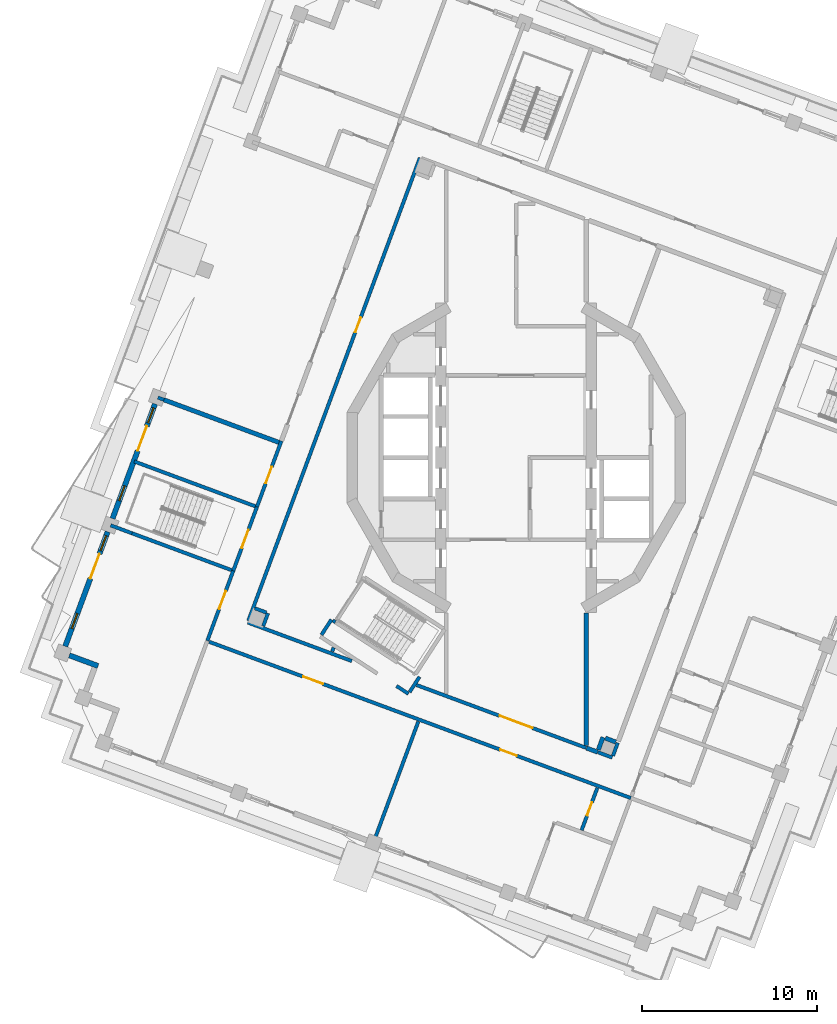
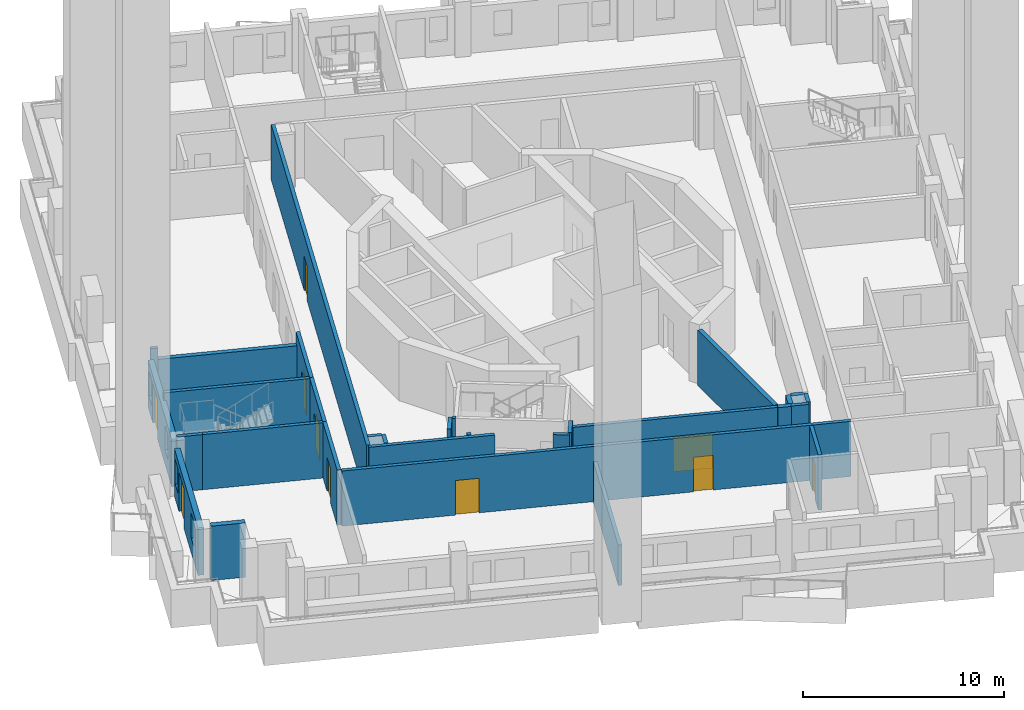
# One storey, part 3 of 20: 30 walls, 10 doors, 4 windows, 14 openings.
"""IFC4 building model written with IfcOpenShell, lengths in metres."""

from ifc_helpers import new_model, si_unit, direction, frame, frame_2d, origin, place, context, subcontext, project, spatial, rectangle, extrude, material, layer, layer_set, type_object, element, fill, save


model = new_model("IFC4")

# Units and contexts
model_context = context("Model", 3, precision=1e-05, world=origin(), true_north=direction((0.0, 1.0)))
body_context = subcontext(model_context, "Body", "Model", "MODEL_VIEW")
ifc_project = project(units=[si_unit("LENGTHUNIT", "METRE"), si_unit("AREAUNIT", "SQUARE_METRE"), si_unit("VOLUMEUNIT", "CUBIC_METRE"), si_unit("PLANEANGLEUNIT", "RADIAN"), si_unit("MASSUNIT", "GRAM", prefix="KILO")], contexts=[model_context])

# Site, building, storey
site_placement = place(None, origin())
site = spatial("IfcSite", under=ifc_project, at=site_placement, CompositionType="ELEMENT")
building_placement = place(site_placement, origin())
building = spatial("IfcBuilding", under=site, at=building_placement, Name="Cantera Rosa Tower", CompositionType="ELEMENT")
storey_placement = place(building_placement, frame((0.0, 0.0, 306.10009765625)))
storey = spatial("IfcBuildingStorey", under=building, at=storey_placement, Name="L67", CompositionType="ELEMENT", Elevation=306.10009765625)

# Wall, openings, doors
ifc_material_1 = material(Name="Gypsum board partition")
ifc_layer_1 = layer(ifc_material_1, 0.199951171875)
ifc_layer_set_1 = layer_set([ifc_layer_1], Name="CORRIDOR WALL 200 H3350")
wall_type_1 = type_object("IfcWallType", Name="CORRIDOR WALL 200 H3350", PredefinedType="PARTITIONING", material=ifc_layer_set_1)
wall_1_placement = place(storey_placement, frame((-17.52587890625, -10.515380859375, 0.0), z_axis=(0.0, 0.0, 1.0), x_axis=(0.937685670384, -0.347484652261, 0.0)))
wall_1 = element("IfcWall", 1, at=wall_1_placement, inside=storey, type_object=wall_type_1, Name="CORRIDOR WALL L67-004", PredefinedType="PARTITIONING", context=body_context, shape_type="SweptSolid", body=[
    extrude(rectangle(XDim=25.679931640625, YDim=0.199951171875, at=frame_2d((12.83984375, 0.0))), origin(), (0.0, 0.0, 1.0), 3.349853515625),
])
opening_1_placement = place(wall_1_placement, frame((5.72998046875, 0.0, 0.0)))
opening_1 = element("IfcOpeningElement", 2, at=opening_1_placement, cuts=wall_1, Name="Opening L67-027", PredefinedType="OPENING", context=body_context, shape_type="SweptSolid", body=[
    extrude(rectangle(XDim=1.199951171875, YDim=2.10009765625, at=frame_2d((0.60009765625, 1.050048828125))), frame((0.0, 0.10986328125, 0.0), z_axis=(0.0, -1.0, 0.0), x_axis=(1.0, 0.0, 0.0)), (0.0, 0.0, 1.0), 0.219970703125),
])
opening_2_placement = place(wall_1_placement, frame((17.72998046875, 0.0, 0.0)))
opening_2 = element("IfcOpeningElement", 3, at=opening_2_placement, cuts=wall_1, Name="Opening L67-028", PredefinedType="OPENING", context=body_context, shape_type="SweptSolid", body=[
    extrude(rectangle(XDim=1.0, YDim=2.10009765625, at=frame_2d((0.5, 1.050048828125))), frame((0.0, 0.10986328125, 0.0), z_axis=(0.0, -1.0, 0.0), x_axis=(1.0, 0.0, 0.0)), (0.0, 0.0, 1.0), 0.219970703125),
])
ifc_material_2 = material(Name="Timber door leaf", Category="wood")
door_type_1 = type_object("IfcDoorType", Name="ENTRANCE DOOR 1000x2100", OperationType="NOTDEFINED", PredefinedType="DOOR", material=ifc_material_2)
door_1_placement = place(opening_2_placement, origin())
door_1 = element("IfcDoor", 4, at=door_1_placement, inside=storey, type_object=door_type_1, Name="DOOR L67-028", OperationType="NOTDEFINED", OverallHeight=2.10009765625, OverallWidth=1.0, PredefinedType="DOOR", context=body_context, shape_type="SweptSolid", body=[
    extrude(rectangle(XDim=1.0, YDim=2.10009765625, at=frame_2d((0.5, 1.050048828125))), frame((0.0, 0.02490234375, 0.0), z_axis=(0.0, -1.0, 0.0), x_axis=(1.0, 0.0, 0.0)), (0.0, 0.0, 1.0), 0.050048828125),
])
fill(opening_2, door_1)
ifc_material_3 = material(Name="Timber door leaf", Category="wood")
door_type_2 = type_object("IfcDoorType", Name="ROOM DOOR 1200x2100", OperationType="NOTDEFINED", PredefinedType="DOOR", material=ifc_material_3)
door_2_placement = place(opening_1_placement, origin())
door_2 = element("IfcDoor", 5, at=door_2_placement, inside=storey, type_object=door_type_2, Name="DOOR L67-027", OperationType="NOTDEFINED", OverallHeight=2.10009765625, OverallWidth=1.199951171875, PredefinedType="DOOR", context=body_context, shape_type="SweptSolid", body=[
    extrude(rectangle(XDim=1.199951171875, YDim=2.10009765625, at=frame_2d((0.60009765625, 1.050048828125))), frame((0.0, 0.02490234375, 0.0), z_axis=(0.0, -1.0, 0.0), x_axis=(1.0, 0.0, 0.0)), (0.0, 0.0, 1.0), 0.050048828125),
])
fill(opening_1, door_2)

# Wall, opening, door
wall_2_placement = place(storey_placement, frame((-16.1513671875, -6.460205078125, 0.0), z_axis=(0.0, 0.0, 1.0), x_axis=(-0.347465539693, -0.937692752838, 0.0)))
wall_2 = element("IfcWall", 6, at=wall_2_placement, inside=storey, type_object=wall_type_1, Name="CORRIDOR WALL L67-005", PredefinedType="PARTITIONING", context=body_context, shape_type="SweptSolid", body=[
    extrude(rectangle(XDim=4.260009765625, YDim=0.199951171875, at=frame_2d((2.1298828125, 0.0))), origin(), (0.0, 0.0, 1.0), 3.349853515625),
])
opening_3_placement = place(wall_2_placement, frame((1.22998046875, 0.0, 0.0)))
opening_3 = element("IfcOpeningElement", 7, at=opening_3_placement, cuts=wall_2, Name="Opening L67-026", PredefinedType="OPENING", context=body_context, shape_type="SweptSolid", body=[
    extrude(rectangle(XDim=1.10009765625, YDim=2.10009765625, at=frame_2d((0.550048828125, 1.050048828125))), frame((0.0, 0.10986328125, 0.0), z_axis=(0.0, -1.0, 0.0), x_axis=(1.0, 0.0, 0.0)), (0.0, 0.0, 1.0), 0.219970703125),
])
ifc_material_4 = material(Name="Timber door leaf", Category="wood")
door_type_3 = type_object("IfcDoorType", Name="ROOM DOOR 1100x2100", OperationType="NOTDEFINED", PredefinedType="DOOR", material=ifc_material_4)
door_3_placement = place(opening_3_placement, origin())
door_3 = element("IfcDoor", 8, at=door_3_placement, inside=storey, type_object=door_type_3, Name="DOOR L67-026", OperationType="NOTDEFINED", OverallHeight=2.10009765625, OverallWidth=1.10009765625, PredefinedType="DOOR", context=body_context, shape_type="SweptSolid", body=[
    extrude(rectangle(XDim=1.10009765625, YDim=2.10009765625, at=frame_2d((0.550048828125, 1.050048828125))), frame((0.0, 0.02490234375, 0.0), z_axis=(0.0, -1.0, 0.0), x_axis=(1.0, 0.0, 0.0)), (0.0, 0.0, 1.0), 0.050048828125),
])
fill(opening_3, door_3)

# Walls
wall_3_placement = place(storey_placement, frame((-15.3251953125, -9.4111328125, 0.0), z_axis=(0.0, 0.0, 1.0), x_axis=(0.937682798528, -0.347492401852, 0.0)))
element("IfcWall", 9, at=wall_3_placement, inside=storey, type_object=wall_type_1, Name="CORRIDOR WALL L67-007", PredefinedType="PARTITIONING", context=body_context, shape_type="SweptSolid", body=[
    extrude(rectangle(XDim=6.341552734375, YDim=0.199951171875, at=frame_2d((3.1708984375, 0.0))), origin(), (0.0, 0.0, 1.0), 3.349853515625),
])
wall_4_placement = place(storey_placement, frame((-6.83251953125, -13.038330078125, 0.0), z_axis=(0.0, 0.0, 1.0), x_axis=(0.838593374038, -0.54475788477, 0.0)))
element("IfcWall", 10, at=wall_4_placement, inside=storey, type_object=wall_type_1, Name="CORRIDOR WALL L67-012", PredefinedType="PARTITIONING", context=body_context, shape_type="SweptSolid", body=[
    extrude(rectangle(XDim=0.8193359375, YDim=0.199951171875, at=frame_2d((0.40966796875, 0.0))), origin(), (0.0, 0.0, 1.0), 3.349853515625),
])
wall_5_placement = place(storey_placement, frame((-10.546630859375, -9.2451171875, 0.0), z_axis=(0.0, 0.0, 1.0), x_axis=(-0.544732150362, -0.838610090782, 0.0)))
element("IfcWall", 11, at=wall_5_placement, inside=storey, type_object=wall_type_1, Name="CORRIDOR WALL L67-014", PredefinedType="PARTITIONING", context=body_context, shape_type="SweptSolid", body=[
    extrude(rectangle(XDim=1.038330078125, YDim=0.199951171875, at=frame_2d((0.51904296875, 0.0))), origin(), (0.0, 0.0, 1.0), 3.349853515625),
])
wall_6_placement = place(storey_placement, frame((-10.31591796875, -9.394775390625, 0.0), z_axis=(0.0, 0.0, 1.0), x_axis=(-0.838857934668, 0.544350406856, 0.0)))
element("IfcWall", 12, at=wall_6_placement, inside=storey, type_object=wall_type_1, Name="CORRIDOR WALL L67-016", PredefinedType="PARTITIONING", context=body_context, shape_type="SweptSolid", body=[
    extrude(rectangle(XDim=0.1748046875, YDim=0.199951171875, at=frame_2d((0.08740234375, 0.0))), origin(), (0.0, 0.0, 1.0), 3.349853515625),
])

# Wall, opening, door
wall_7_placement = place(storey_placement, frame((-13.404296875, 0.9521484375, 0.0), z_axis=(0.0, 0.0, 1.0), x_axis=(-0.347502485966, -0.937679061432, 0.0)))
wall_7 = element("IfcWall", 13, at=wall_7_placement, inside=storey, type_object=wall_type_1, Name="CORRIDOR WALL L67-029", PredefinedType="PARTITIONING", context=body_context, shape_type="SweptSolid", body=[
    extrude(rectangle(XDim=4.01513671875, YDim=0.199951171875, at=frame_2d((2.007568359375, 0.0))), origin(), (0.0, 0.0, 1.0), 3.349853515625),
])
opening_4_placement = place(wall_7_placement, frame((1.570068359375, 0.0, 0.0)))
opening_4 = element("IfcOpeningElement", 14, at=opening_4_placement, cuts=wall_7, Name="Opening L67-022", PredefinedType="OPENING", context=body_context, shape_type="SweptSolid", body=[
    extrude(rectangle(XDim=1.0, YDim=2.10009765625, at=frame_2d((0.5, 1.050048828125))), frame((0.0, 0.10986328125, 0.0), z_axis=(0.0, -1.0, 0.0), x_axis=(1.0, 0.0, 0.0)), (0.0, 0.0, 1.0), 0.219970703125),
])
ifc_material_5 = material(Name="Timber door leaf", Category="wood")
door_type_4 = type_object("IfcDoorType", Name="ROOM DOOR 1000x2100", OperationType="NOTDEFINED", PredefinedType="DOOR", material=ifc_material_5)
door_4_placement = place(opening_4_placement, origin())
door_4 = element("IfcDoor", 15, at=door_4_placement, inside=storey, type_object=door_type_4, Name="DOOR L67-022", OperationType="NOTDEFINED", OverallHeight=2.10009765625, OverallWidth=1.0, PredefinedType="DOOR", context=body_context, shape_type="SweptSolid", body=[
    extrude(rectangle(XDim=1.0, YDim=2.10009765625, at=frame_2d((0.5, 1.050048828125))), frame((0.0, 0.02490234375, 0.0), z_axis=(0.0, -1.0, 0.0), x_axis=(1.0, 0.0, 0.0)), (0.0, 0.0, 1.0), 0.050048828125),
])
fill(opening_4, door_4)

# Wall
wall_8_placement = place(storey_placement, frame((-6.080078125, -13.3837890625, 0.0), z_axis=(0.0, 0.0, 1.0), x_axis=(0.544566778899, 0.838717487191, 0.0)))
element("IfcWall", 16, at=wall_8_placement, inside=storey, type_object=wall_type_1, Name="CORRIDOR WALL L67-032", PredefinedType="PARTITIONING", context=body_context, shape_type="SweptSolid", body=[
    extrude(rectangle(XDim=1.038330078125, YDim=0.199951171875, at=frame_2d((0.51904296875, 0.0))), origin(), (0.0, 0.0, 1.0), 3.349853515625),
])

# Wall, opening, door
wall_9_placement = place(storey_placement, frame((-5.681396484375, -12.98486328125, 0.0), z_axis=(0.0, 0.0, 1.0), x_axis=(0.937687420186, -0.347479930391, 0.0)))
wall_9 = element("IfcWall", 17, at=wall_9_placement, inside=storey, type_object=wall_type_1, Name="CORRIDOR WALL L67-035", PredefinedType="PARTITIONING", context=body_context, shape_type="SweptSolid", body=[
    extrude(rectangle(XDim=10.32470703125, YDim=0.199951171875, at=frame_2d((5.162353515625, 0.0))), origin(), (0.0, 0.0, 1.0), 3.349853515625),
])
opening_5_placement = place(wall_9_placement, frame((5.05908203125, 0.0, 0.0)))
opening_5 = element("IfcOpeningElement", 18, at=opening_5_placement, cuts=wall_9, Name="Opening L67-011", PredefinedType="OPENING", context=body_context, shape_type="SweptSolid", body=[
    extrude(rectangle(XDim=2.0, YDim=2.10009765625, at=frame_2d((1.0, 1.050048828125))), frame((0.0, 0.10986328125, 0.0), z_axis=(0.0, -1.0, 0.0), x_axis=(1.0, 0.0, 0.0)), (0.0, 0.0, 1.0), 0.219970703125),
])
ifc_material_6 = material(Name="Steel S355J2 (EN 10025-2)", Category="steel")
door_type_5 = type_object("IfcDoorType", Name="LOBBY SCREEN DOOR 2000x2100", OperationType="NOTDEFINED", PredefinedType="DOOR", material=ifc_material_6)
door_5_placement = place(opening_5_placement, origin())
door_5 = element("IfcDoor", 19, at=door_5_placement, inside=storey, type_object=door_type_5, Name="DOOR L67-011", OperationType="NOTDEFINED", OverallHeight=2.10009765625, OverallWidth=2.0, PredefinedType="DOOR", context=body_context, shape_type="SweptSolid", body=[
    extrude(rectangle(XDim=2.0, YDim=2.10009765625, at=frame_2d((1.0, 1.050048828125))), frame((0.0, 0.02490234375, 0.0), z_axis=(0.0, -1.0, 0.0), x_axis=(1.0, 0.0, 0.0)), (0.0, 0.0, 1.0), 0.050048828125),
])
fill(opening_5, door_5)

wall_10_placement = place(storey_placement, frame((-5.491455078125, 17.125244140625, 0.0), z_axis=(0.0, 0.0, 1.0), x_axis=(-0.347478457093, -0.937687966147, 0.0)))
wall_10 = element("IfcWall", 20, at=wall_10_placement, inside=storey, type_object=wall_type_1, Name="CORRIDOR WALL L67-038", PredefinedType="PARTITIONING", context=body_context, shape_type="SweptSolid", body=[
    extrude(rectangle(XDim=28.19970703125, YDim=0.199951171875, at=frame_2d((14.099853515625, 0.0))), origin(), (0.0, 0.0, 1.0), 3.349853515625),
])
opening_6_placement = place(wall_10_placement, frame((9.72509765625, 0.0, 0.0)))
opening_6 = element("IfcOpeningElement", 21, at=opening_6_placement, cuts=wall_10, Name="Opening L67-006", PredefinedType="OPENING", context=body_context, shape_type="SweptSolid", body=[
    extrude(rectangle(XDim=0.89990234375, YDim=2.10009765625, at=frame_2d((0.449951171875, 1.050048828125))), frame((0.0, 0.10986328125, 0.0), z_axis=(0.0, -1.0, 0.0), x_axis=(1.0, 0.0, 0.0)), (0.0, 0.0, 1.0), 0.219970703125),
])
ifc_material_7 = material(Name="Timber door leaf", Category="wood")
door_type_6 = type_object("IfcDoorType", Name="SERVICE DOOR 900x2100", OperationType="NOTDEFINED", PredefinedType="DOOR", material=ifc_material_7)
door_6_placement = place(opening_6_placement, origin())
door_6 = element("IfcDoor", 22, at=door_6_placement, inside=storey, type_object=door_type_6, Name="DOOR L67-006", OperationType="NOTDEFINED", OverallHeight=2.10009765625, OverallWidth=0.89990234375, PredefinedType="DOOR", context=body_context, shape_type="SweptSolid", body=[
    extrude(rectangle(XDim=0.89990234375, YDim=2.10009765625, at=frame_2d((0.449951171875, 1.050048828125))), frame((0.0, 0.02490234375, 0.0), z_axis=(0.0, -1.0, 0.0), x_axis=(1.0, 0.0, 0.0)), (0.0, 0.0, 1.0), 0.050048828125),
])
fill(opening_6, door_6)

# Walls
wall_11_placement = place(storey_placement, frame((4.666259765625, -16.819580078125, 0.0), z_axis=(0.0, 0.0, 1.0), x_axis=(0.937735373465, -0.347350499283, 0.0)))
element("IfcWall", 23, at=wall_11_placement, inside=storey, type_object=wall_type_1, Name="CORRIDOR WALL L67-069", PredefinedType="PARTITIONING", context=body_context, shape_type="SweptSolid", body=[
    extrude(rectangle(XDim=0.8798828125, YDim=0.199951171875, at=frame_2d((0.43994140625, 0.0))), origin(), (0.0, 0.0, 1.0), 3.349853515625),
])
wall_12_placement = place(storey_placement, frame((5.526123046875, -17.031494140625, 0.0), z_axis=(0.0, 0.0, 1.0), x_axis=(0.34764237862, 0.93762720555, 0.0)))
element("IfcWall", 24, at=wall_12_placement, inside=storey, type_object=wall_type_1, Name="CORRIDOR WALL L67-072", PredefinedType="PARTITIONING", context=body_context, shape_type="SweptSolid", body=[
    extrude(rectangle(XDim=0.7998046875, YDim=0.199951171875, at=frame_2d((0.39990234375, 0.0))), origin(), (0.0, 0.0, 1.0), 3.349853515625),
])
ifc_material_8 = material(Name="Hollow clay masonry with cantera stone cladding", Category="masonry")
ifc_layer_2 = layer(ifc_material_8, 0.300048828125)
ifc_layer_set_2 = layer_set([ifc_layer_2], Name="EW-LOGGIA 300")
wall_type_2 = type_object("IfcWallType", Name="EW-LOGGIA 300", PredefinedType="SOLIDWALL", material=ifc_layer_set_2)
wall_13_placement = place(storey_placement, frame((-25.51220703125, -11.288330078125, 0.0), z_axis=(0.0, 0.0, 1.0), x_axis=(0.937669639538, -0.34752790836, 0.0)))
element("IfcWall", 25, at=wall_13_placement, inside=storey, type_object=wall_type_2, Name="EN-L67-W12a", PredefinedType="SOLIDWALL", context=body_context, shape_type="SweptSolid", body=[
    extrude(rectangle(XDim=1.75, YDim=0.300048828125, at=frame_2d((0.875, 0.0))), origin(), (0.0, 0.0, 1.0), 3.2998046875),
])

# Wall, openings, windows, door
ifc_material_9 = material(Name="Hollow clay masonry with cantera stone cladding", Category="masonry")
ifc_layer_3 = layer(ifc_material_9, 0.300048828125)
ifc_layer_set_3 = layer_set([ifc_layer_3], Name="EW-LOGGIA 300 H2890")
wall_type_3 = type_object("IfcWallType", Name="EW-LOGGIA 300 H2890", PredefinedType="SOLIDWALL", material=ifc_layer_set_3)
wall_14_placement = place(storey_placement, frame((-20.61962890625, 3.06591796875, 0.0), z_axis=(0.0, 0.0, 1.0), x_axis=(-0.347471562124, -0.937690521182, 0.0)))
wall_14 = element("IfcWall", 26, at=wall_14_placement, inside=storey, type_object=wall_type_3, Name="EN-L67-W10", PredefinedType="SOLIDWALL", context=body_context, shape_type="SweptSolid", body=[
    extrude(rectangle(XDim=6.979736328125, YDim=0.300048828125, at=frame_2d((3.48974609375, 0.0))), origin(), (0.0, 0.0, 1.0), 2.889892578125),
])
opening_7_placement = place(wall_14_placement, frame((0.2451171875, 0.0, 0.89990234375)))
opening_7 = element("IfcOpeningElement", 27, at=opening_7_placement, cuts=wall_14, Name="Opening L67-W16", PredefinedType="OPENING", context=body_context, shape_type="SweptSolid", body=[
    extrude(rectangle(XDim=0.89990234375, YDim=1.5, at=frame_2d((0.449951171875, 0.75))), frame((0.0, 0.159912109375, 0.0), z_axis=(0.0, -1.0, 0.0), x_axis=(1.0, 0.0, 0.0)), (0.0, 0.0, 1.0), 0.320068359375),
])
opening_8_placement = place(wall_14_placement, frame((1.344970703125, 0.0, 0.0)))
opening_8 = element("IfcOpeningElement", 28, at=opening_8_placement, cuts=wall_14, Name="Opening L67-TD17", PredefinedType="OPENING", context=body_context, shape_type="SweptSolid", body=[
    extrude(rectangle(XDim=1.5, YDim=2.39990234375, at=frame_2d((0.75, 1.199951171875))), frame((0.0, 0.159912109375, 0.0), z_axis=(0.0, -1.0, 0.0), x_axis=(1.0, 0.0, 0.0)), (0.0, 0.0, 1.0), 0.320068359375),
])
opening_9_placement = place(wall_14_placement, frame((4.985107421875, 0.0, 0.89990234375)))
opening_9 = element("IfcOpeningElement", 29, at=opening_9_placement, cuts=wall_14, Name="Opening L67-W18", PredefinedType="OPENING", context=body_context, shape_type="SweptSolid", body=[
    extrude(rectangle(XDim=0.89990234375, YDim=1.5, at=frame_2d((0.449951171875, 0.75))), frame((0.0, 0.159912109375, 0.0), z_axis=(0.0, -1.0, 0.0), x_axis=(1.0, 0.0, 0.0)), (0.0, 0.0, 1.0), 0.320068359375),
])
ifc_material_10 = material(Name="Aluminium frame with clear glass", Category="aluminium")
window_type = type_object("IfcWindowType", Name="Residential window 900x1500", PartitioningType="SINGLE_PANEL", PredefinedType="WINDOW", material=ifc_material_10)
window_1_placement = place(opening_7_placement, origin())
window_1 = element("IfcWindow", 30, at=window_1_placement, inside=storey, type_object=window_type, Name="WINDOW L67-W16", OverallHeight=1.5, OverallWidth=0.89990234375, PartitioningType="SINGLE_PANEL", PredefinedType="WINDOW", context=body_context, shape_type="SweptSolid", body=[
    extrude(rectangle(XDim=0.89990234375, YDim=1.5, at=frame_2d((0.449951171875, 0.75))), frame((0.0, 0.030029296875, 0.0), z_axis=(0.0, -1.0, 0.0), x_axis=(1.0, 0.0, 0.0)), (0.0, 0.0, 1.0), 0.06005859375),
])
fill(opening_7, window_1)
window_2_placement = place(opening_9_placement, origin())
window_2 = element("IfcWindow", 31, at=window_2_placement, inside=storey, type_object=window_type, Name="WINDOW L67-W18", OverallHeight=1.5, OverallWidth=0.89990234375, PartitioningType="SINGLE_PANEL", PredefinedType="WINDOW", context=body_context, shape_type="SweptSolid", body=[
    extrude(rectangle(XDim=0.89990234375, YDim=1.5, at=frame_2d((0.449951171875, 0.75))), frame((0.0, 0.030029296875, 0.0), z_axis=(0.0, -1.0, 0.0), x_axis=(1.0, 0.0, 0.0)), (0.0, 0.0, 1.0), 0.06005859375),
])
fill(opening_9, window_2)
ifc_material_11 = material(Name="Aluminium frame with clear glass", Category="aluminium")
door_type_7 = type_object("IfcDoorType", Name="TD-R 1500x2400", OperationType="NOTDEFINED", PredefinedType="DOOR", material=ifc_material_11)
door_7_placement = place(opening_8_placement, origin())
door_7 = element("IfcDoor", 32, at=door_7_placement, inside=storey, type_object=door_type_7, Name="LOGGIA DOOR L67-TD17", OperationType="SLIDING_TO_LEFT", OverallHeight=2.39990234375, OverallWidth=1.5, PredefinedType="DOOR", context=body_context, shape_type="SweptSolid", body=[
    extrude(rectangle(XDim=1.5, YDim=2.39990234375, at=frame_2d((0.75, 1.199951171875))), frame((0.0, 0.02490234375, 0.0), z_axis=(0.0, -1.0, 0.0), x_axis=(1.0, 0.0, 0.0)), (0.0, 0.0, 1.0), 0.050048828125),
])
fill(opening_8, door_7)

wall_15_placement = place(storey_placement, frame((-23.322998046875, -4.229248046875, 0.0), z_axis=(0.0, 0.0, 1.0), x_axis=(-0.347460165909, -0.937694744097, 0.0)))
wall_15 = element("IfcWall", 33, at=wall_15_placement, inside=storey, type_object=wall_type_3, Name="EN-L67-W11", PredefinedType="SOLIDWALL", context=body_context, shape_type="SweptSolid", body=[
    extrude(rectangle(XDim=6.97998046875, YDim=0.300048828125, at=frame_2d((3.489990234375, 0.0))), origin(), (0.0, 0.0, 1.0), 2.889892578125),
])
opening_10_placement = place(wall_15_placement, frame((0.2451171875, 0.0, 0.89990234375)))
opening_10 = element("IfcOpeningElement", 34, at=opening_10_placement, cuts=wall_15, Name="Opening L67-W19", PredefinedType="OPENING", context=body_context, shape_type="SweptSolid", body=[
    extrude(rectangle(XDim=0.89990234375, YDim=1.5, at=frame_2d((0.449951171875, 0.75))), frame((0.0, 0.159912109375, 0.0), z_axis=(0.0, -1.0, 0.0), x_axis=(1.0, 0.0, 0.0)), (0.0, 0.0, 1.0), 0.320068359375),
])
opening_11_placement = place(wall_15_placement, frame((1.344970703125, 0.0, 0.0)))
opening_11 = element("IfcOpeningElement", 35, at=opening_11_placement, cuts=wall_15, Name="Opening L67-TD20", PredefinedType="OPENING", context=body_context, shape_type="SweptSolid", body=[
    extrude(rectangle(XDim=1.5, YDim=2.39990234375, at=frame_2d((0.75, 1.199951171875))), frame((0.0, 0.159912109375, 0.0), z_axis=(0.0, -1.0, 0.0), x_axis=(1.0, 0.0, 0.0)), (0.0, 0.0, 1.0), 0.320068359375),
])
opening_12_placement = place(wall_15_placement, frame((4.985107421875, 0.0, 0.89990234375)))
opening_12 = element("IfcOpeningElement", 36, at=opening_12_placement, cuts=wall_15, Name="Opening L67-W21", PredefinedType="OPENING", context=body_context, shape_type="SweptSolid", body=[
    extrude(rectangle(XDim=0.89990234375, YDim=1.5, at=frame_2d((0.449951171875, 0.75))), frame((0.0, 0.159912109375, 0.0), z_axis=(0.0, -1.0, 0.0), x_axis=(1.0, 0.0, 0.0)), (0.0, 0.0, 1.0), 0.320068359375),
])
window_3_placement = place(opening_10_placement, origin())
window_3 = element("IfcWindow", 37, at=window_3_placement, inside=storey, type_object=window_type, Name="WINDOW L67-W19", OverallHeight=1.5, OverallWidth=0.89990234375, PartitioningType="SINGLE_PANEL", PredefinedType="WINDOW", context=body_context, shape_type="SweptSolid", body=[
    extrude(rectangle(XDim=0.89990234375, YDim=1.5, at=frame_2d((0.449951171875, 0.75))), frame((0.0, 0.030029296875, 0.0), z_axis=(0.0, -1.0, 0.0), x_axis=(1.0, 0.0, 0.0)), (0.0, 0.0, 1.0), 0.06005859375),
])
fill(opening_10, window_3)
window_4_placement = place(opening_12_placement, origin())
window_4 = element("IfcWindow", 38, at=window_4_placement, inside=storey, type_object=window_type, Name="WINDOW L67-W21", OverallHeight=1.5, OverallWidth=0.89990234375, PartitioningType="SINGLE_PANEL", PredefinedType="WINDOW", context=body_context, shape_type="SweptSolid", body=[
    extrude(rectangle(XDim=0.89990234375, YDim=1.5, at=frame_2d((0.449951171875, 0.75))), frame((0.0, 0.030029296875, 0.0), z_axis=(0.0, -1.0, 0.0), x_axis=(1.0, 0.0, 0.0)), (0.0, 0.0, 1.0), 0.06005859375),
])
fill(opening_12, window_4)
door_8_placement = place(opening_11_placement, origin())
door_8 = element("IfcDoor", 39, at=door_8_placement, inside=storey, type_object=door_type_7, Name="LOGGIA DOOR L67-TD20", OperationType="SLIDING_TO_LEFT", OverallHeight=2.39990234375, OverallWidth=1.5, PredefinedType="DOOR", context=body_context, shape_type="SweptSolid", body=[
    extrude(rectangle(XDim=1.5, YDim=2.39990234375, at=frame_2d((0.75, 1.199951171875))), frame((0.0, 0.02490234375, 0.0), z_axis=(0.0, -1.0, 0.0), x_axis=(1.0, 0.0, 0.0)), (0.0, 0.0, 1.0), 0.050048828125),
])
fill(opening_11, door_8)

# Walls
ifc_material_12 = material(Name="Concrete C40/50", Category="concrete")
ifc_layer_4 = layer(ifc_material_12, 0.25)
ifc_layer_set_4 = layer_set([ifc_layer_4], Name="EW-POCKET CHEEK 250 H2670")
wall_type_4 = type_object("IfcWallType", Name="EW-POCKET CHEEK 250 H2670", PredefinedType="SOLIDWALL", material=ifc_layer_set_4)
wall_16_placement = place(storey_placement, frame((-20.10546875, 3.302001953125, 0.0), z_axis=(0.0, 0.0, 1.0), x_axis=(0.937685216413, -0.347485877297, 0.0)))
element("IfcWall", 40, at=wall_16_placement, inside=storey, type_object=wall_type_4, Name="POCKET CHEEK B L67", PredefinedType="SOLIDWALL", context=body_context, shape_type="SweptSolid", body=[
    extrude(rectangle(XDim=7.0, YDim=0.25, at=frame_2d((3.5, 0.0))), origin(), (0.0, 0.0, 1.0), 2.669921875),
])
ifc_material_13 = material(Name="Gypsum board partition")
ifc_layer_5 = layer(ifc_material_13, 0.199951171875)
ifc_layer_set_5 = layer_set([ifc_layer_5], Name="PARTITION 200 H3350")
wall_type_5 = type_object("IfcWallType", Name="PARTITION 200 H3350", PredefinedType="PARTITIONING", material=ifc_layer_set_5)
wall_17_placement = place(storey_placement, frame((-20.452392578125, 3.4306640625, 0.0), z_axis=(0.0, 0.0, 1.0), x_axis=(0.937597447594, -0.347722628348, 0.0)))
element("IfcWall", 41, at=wall_17_placement, inside=storey, type_object=wall_type_5, Name="PARTITION L67-002", PredefinedType="PARTITIONING", context=body_context, shape_type="SweptSolid", body=[
    extrude(rectangle(XDim=0.3701171875, YDim=0.199951171875, at=frame_2d((0.18505859375, 0.0))), origin(), (0.0, 0.0, 1.0), 3.349853515625),
])
wall_18_placement = place(storey_placement, frame((-14.439697265625, -9.611328125, 0.0), z_axis=(0.0, 0.0, 1.0), x_axis=(0.347691457596, 0.937609007164, 0.0)))
element("IfcWall", 42, at=wall_18_placement, inside=storey, type_object=wall_type_5, Name="PARTITION L67-009", PredefinedType="PARTITIONING", context=body_context, shape_type="SweptSolid", body=[
    extrude(rectangle(XDim=0.780029296875, YDim=0.199951171875, at=frame_2d((0.39013671875, 0.0))), origin(), (0.0, 0.0, 1.0), 3.349853515625),
])
wall_19_placement = place(storey_placement, frame((-14.26220703125, -8.84521484375, 0.0), z_axis=(0.0, 0.0, 1.0), x_axis=(-0.937740347131, 0.347337071678, 0.0)))
element("IfcWall", 43, at=wall_19_placement, inside=storey, type_object=wall_type_5, Name="PARTITION L67-010", PredefinedType="PARTITIONING", context=body_context, shape_type="SweptSolid", body=[
    extrude(rectangle(XDim=0.7001953125, YDim=0.199951171875, at=frame_2d((0.35009765625, 0.0))), origin(), (0.0, 0.0, 1.0), 3.349853515625),
])
wall_20_placement = place(storey_placement, frame((-10.4189453125, -10.848876953125, 0.0), z_axis=(0.0, 0.0, 1.0), x_axis=(-0.34761669647, -0.937636727275, 0.0)))
element("IfcWall", 44, at=wall_20_placement, inside=storey, type_object=wall_type_5, Name="PARTITION L67-015", PredefinedType="PARTITIONING", context=body_context, shape_type="SweptSolid", body=[
    extrude(rectangle(XDim=0.236572265625, YDim=0.199951171875, at=frame_2d((0.1181640625, 0.0))), origin(), (0.0, 0.0, 1.0), 3.349853515625),
])

# Wall, opening, door
wall_21_placement = place(storey_placement, frame((3.740234375, -21.275390625, 0.0), z_axis=(0.0, 0.0, 1.0), x_axis=(0.34748078016, 0.937687105286, 0.0)))
wall_21 = element("IfcWall", 45, at=wall_21_placement, inside=storey, type_object=wall_type_5, Name="PARTITION L67-060", PredefinedType="PARTITIONING", context=body_context, shape_type="SweptSolid", body=[
    extrude(rectangle(XDim=2.579833984375, YDim=0.199951171875, at=frame_2d((1.2900390625, 0.0))), origin(), (0.0, 0.0, 1.0), 3.349853515625),
])
opening_13_placement = place(wall_21_placement, frame((0.89990234375, 0.0, 0.0)))
opening_13 = element("IfcOpeningElement", 46, at=opening_13_placement, cuts=wall_21, Name="Opening L67-029", PredefinedType="OPENING", context=body_context, shape_type="SweptSolid", body=[
    extrude(rectangle(XDim=0.800048828125, YDim=2.10009765625, at=frame_2d((0.39990234375, 1.050048828125))), frame((0.0, 0.10986328125, 0.0), z_axis=(0.0, -1.0, 0.0), x_axis=(1.0, 0.0, 0.0)), (0.0, 0.0, 1.0), 0.219970703125),
])
ifc_material_14 = material(Name="Timber door leaf", Category="wood")
door_type_8 = type_object("IfcDoorType", Name="BATHROOM DOOR 800x2100", OperationType="NOTDEFINED", PredefinedType="DOOR", material=ifc_material_14)
door_9_placement = place(opening_13_placement, origin())
door_9 = element("IfcDoor", 47, at=door_9_placement, inside=storey, type_object=door_type_8, Name="DOOR L67-029", OperationType="NOTDEFINED", OverallHeight=2.10009765625, OverallWidth=0.800048828125, PredefinedType="DOOR", context=body_context, shape_type="SweptSolid", body=[
    extrude(rectangle(XDim=0.800048828125, YDim=2.10009765625, at=frame_2d((0.39990234375, 1.050048828125))), frame((0.0, 0.02490234375, 0.0), z_axis=(0.0, -1.0, 0.0), x_axis=(1.0, 0.0, 0.0)), (0.0, 0.0, 1.0), 0.050048828125),
])
fill(opening_13, door_9)

# Walls
ifc_material_15 = material(Name="Gypsum board partition")
ifc_layer_6 = layer(ifc_material_15, 0.199951171875)
ifc_layer_set_6 = layer_set([ifc_layer_6], Name="PARTY WALL 200 H2450")
wall_type_6 = type_object("IfcWallType", Name="PARTY WALL 200 H2450", PredefinedType="PARTITIONING", material=ifc_layer_set_6)
wall_22_placement = place(storey_placement, frame((-5.583984375, -15.068603515625, 0.0), z_axis=(0.0, 0.0, 1.0), x_axis=(-0.347473379308, -0.937689847803, 0.0)))
element("IfcWall", 48, at=wall_22_placement, inside=storey, type_object=wall_type_6, Name="PARTY WALL L67-037", PredefinedType="PARTITIONING", context=body_context, shape_type="SweptSolid", body=[
    extrude(rectangle(XDim=7.35009765625, YDim=0.199951171875, at=frame_2d((3.675048828125, 0.0))), origin(), (0.0, 0.0, 1.0), 2.449951171875),
])
ifc_material_16 = material(Name="Masonry blockwork", Category="masonry")
ifc_layer_7 = layer(ifc_material_16, 0.25)
ifc_layer_set_7 = layer_set([ifc_layer_7], Name="SHAFT WALL 250 H3350")
wall_type_7 = type_object("IfcWallType", Name="SHAFT WALL 250 H3350", PredefinedType="SOLIDWALL", material=ifc_layer_set_7)
wall_23_placement = place(storey_placement, frame((4.0, -16.4326171875, 0.0), z_axis=(0.0, 0.0, 1.0), x_axis=(0.0, 1.0, 0.0)))
element("IfcWall", 49, at=wall_23_placement, inside=storey, type_object=wall_type_7, Name="SHAFT WALL L67-063", PredefinedType="SOLIDWALL", context=body_context, shape_type="SweptSolid", body=[
    extrude(rectangle(XDim=7.5537109375, YDim=0.25, at=frame_2d((3.77685546875, 0.0))), origin(), (0.0, 0.0, 1.0), 3.349853515625),
])
wall_24_placement = place(storey_placement, frame((4.018798828125, -16.57958984375, 0.0), z_axis=(0.0, 0.0, 1.0), x_axis=(0.937713613764, -0.347409237876, 0.0)))
element("IfcWall", 50, at=wall_24_placement, inside=storey, type_object=wall_type_7, Name="SHAFT WALL L67-064", PredefinedType="SOLIDWALL", context=body_context, shape_type="SweptSolid", body=[
    extrude(rectangle(XDim=0.67041015625, YDim=0.25, at=frame_2d((0.335205078125, 0.0))), origin(), (0.0, 0.0, 1.0), 3.349853515625),
])
wall_25_placement = place(storey_placement, frame((4.960205078125, -15.96875, 0.0), z_axis=(0.0, 0.0, 1.0), x_axis=(-0.347282965849, -0.937760386043, 0.0)))
element("IfcWall", 51, at=wall_25_placement, inside=storey, type_object=wall_type_7, Name="SHAFT WALL L67-071", PredefinedType="SOLIDWALL", context=body_context, shape_type="SweptSolid", body=[
    extrude(rectangle(XDim=0.760009765625, YDim=0.25, at=frame_2d((0.3798828125, 0.0))), origin(), (0.0, 0.0, 1.0), 3.349853515625),
])
wall_26_placement = place(storey_placement, frame((5.691650390625, -16.23974609375, 0.0), z_axis=(0.0, 0.0, 1.0), x_axis=(-0.937670508839, 0.347525562877, 0.0)))
element("IfcWall", 52, at=wall_26_placement, inside=storey, type_object=wall_type_7, Name="SHAFT WALL L67-073", PredefinedType="SOLIDWALL", context=body_context, shape_type="SweptSolid", body=[
    extrude(rectangle(XDim=0.639892578125, YDim=0.25, at=frame_2d((0.31982421875, 0.0))), origin(), (0.0, 0.0, 1.0), 3.349853515625),
])
ifc_material_17 = material(Name="Concrete C50/60", Category="concrete")
ifc_layer_8 = layer(ifc_material_17, 0.199951171875)
ifc_layer_set_8 = layer_set([ifc_layer_8], Name="STAIR WALL 200 H3350")
wall_type_8 = type_object("IfcWallType", Name="STAIR WALL 200 H3350", PredefinedType="SOLIDWALL", material=ifc_layer_set_8)
wall_27_placement = place(storey_placement, frame((-23.15576171875, -3.864501953125, 0.0), z_axis=(0.0, 0.0, 1.0), x_axis=(0.937642248704, -0.347601802994, 0.0)))
element("IfcWall", 53, at=wall_27_placement, inside=storey, type_object=wall_type_8, Name="STAIR WALL L67-001", PredefinedType="SOLIDWALL", context=body_context, shape_type="SweptSolid", body=[
    extrude(rectangle(XDim=1.300048828125, YDim=0.199951171875, at=frame_2d((0.64990234375, 0.0))), origin(), (0.0, 0.0, 1.0), 3.349853515625),
])

# Wall, opening, door
wall_28_placement = place(storey_placement, frame((-16.1513671875, -6.460205078125, 0.0), z_axis=(0.0, 0.0, 1.0), x_axis=(0.347516717491, 0.937673787126, 0.0)))
wall_28 = element("IfcWall", 54, at=wall_28_placement, inside=storey, type_object=wall_type_8, Name="STAIR WALL L67-006", PredefinedType="SOLIDWALL", context=body_context, shape_type="SweptSolid", body=[
    extrude(rectangle(XDim=3.889892578125, YDim=0.199951171875, at=frame_2d((1.94482421875, 0.0))), origin(), (0.0, 0.0, 1.0), 3.349853515625),
])
opening_14_placement = place(wall_28_placement, frame((1.39501953125, 0.0, 0.0)))
opening_14 = element("IfcOpeningElement", 55, at=opening_14_placement, cuts=wall_28, Name="Opening L67-003", PredefinedType="OPENING", context=body_context, shape_type="SweptSolid", body=[
    extrude(rectangle(XDim=1.10009765625, YDim=2.10009765625, at=frame_2d((0.550048828125, 1.050048828125))), frame((0.0, 0.10986328125, 0.0), z_axis=(0.0, -1.0, 0.0), x_axis=(1.0, 0.0, 0.0)), (0.0, 0.0, 1.0), 0.219970703125),
])
ifc_material_18 = material(Name="Steel S355J2 (EN 10025-2)", Category="steel")
door_type_9 = type_object("IfcDoorType", Name="STAIR DOOR 1100x2100", OperationType="NOTDEFINED", PredefinedType="DOOR", material=ifc_material_18)
door_10_placement = place(opening_14_placement, origin())
door_10 = element("IfcDoor", 56, at=door_10_placement, inside=storey, type_object=door_type_9, Name="DOOR L67-003", OperationType="NOTDEFINED", OverallHeight=2.10009765625, OverallWidth=1.10009765625, PredefinedType="DOOR", context=body_context, shape_type="SweptSolid", body=[
    extrude(rectangle(XDim=1.10009765625, YDim=2.10009765625, at=frame_2d((0.550048828125, 1.050048828125))), frame((0.0, 0.02490234375, 0.0), z_axis=(0.0, -1.0, 0.0), x_axis=(1.0, 0.0, 0.0)), (0.0, 0.0, 1.0), 0.050048828125),
])
fill(opening_14, door_10)

# Walls
wall_29_placement = place(storey_placement, frame((-14.799560546875, -2.812744140625, 0.0), z_axis=(0.0, 0.0, 1.0), x_axis=(-0.93768803379, 0.347478274555, 0.0)))
element("IfcWall", 57, at=wall_29_placement, inside=storey, type_object=wall_type_8, Name="STAIR WALL L67-008", PredefinedType="SOLIDWALL", context=body_context, shape_type="SweptSolid", body=[
    extrude(rectangle(XDim=7.47021484375, YDim=0.199951171875, at=frame_2d((3.735107421875, 0.0))), origin(), (0.0, 0.0, 1.0), 3.349853515625),
])
wall_30_placement = place(storey_placement, frame((-21.936767578125, -4.31640625, 0.0), z_axis=(0.0, 0.0, 1.0), x_axis=(0.937692901762, -0.347465137797, 0.0)))
element("IfcWall", 58, at=wall_30_placement, inside=storey, type_object=wall_type_8, Name="STAIR WALL L67-001 J", PredefinedType="SOLIDWALL", context=body_context, shape_type="SweptSolid", body=[
    extrude(rectangle(XDim=6.169921875, YDim=0.199951171875, at=frame_2d((3.0849609375, 0.0))), origin(), (0.0, 0.0, 1.0), 3.349853515625),
])

save(model, "model.ifc")
